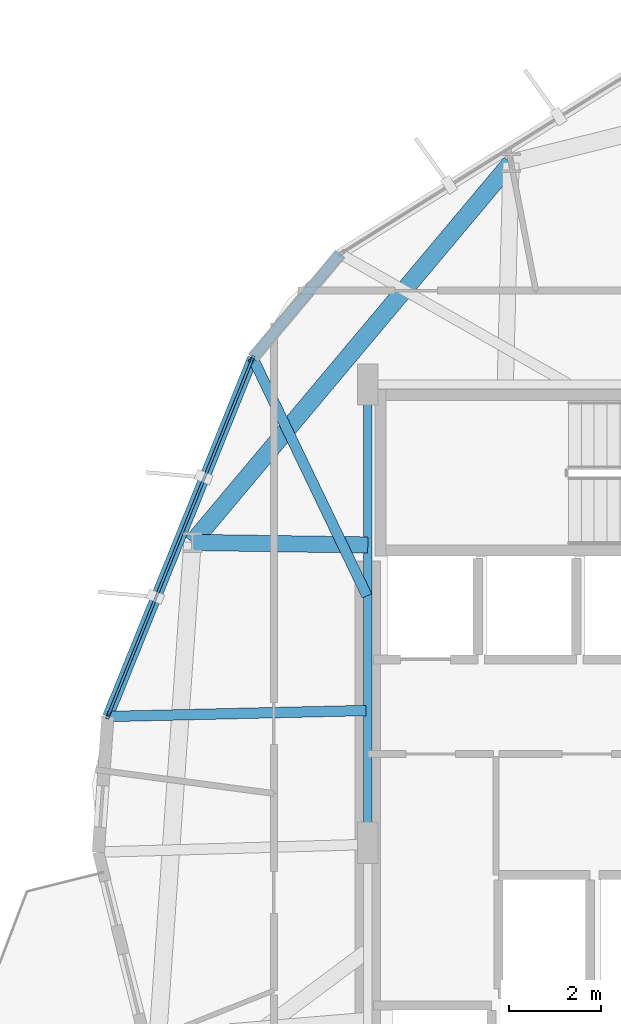
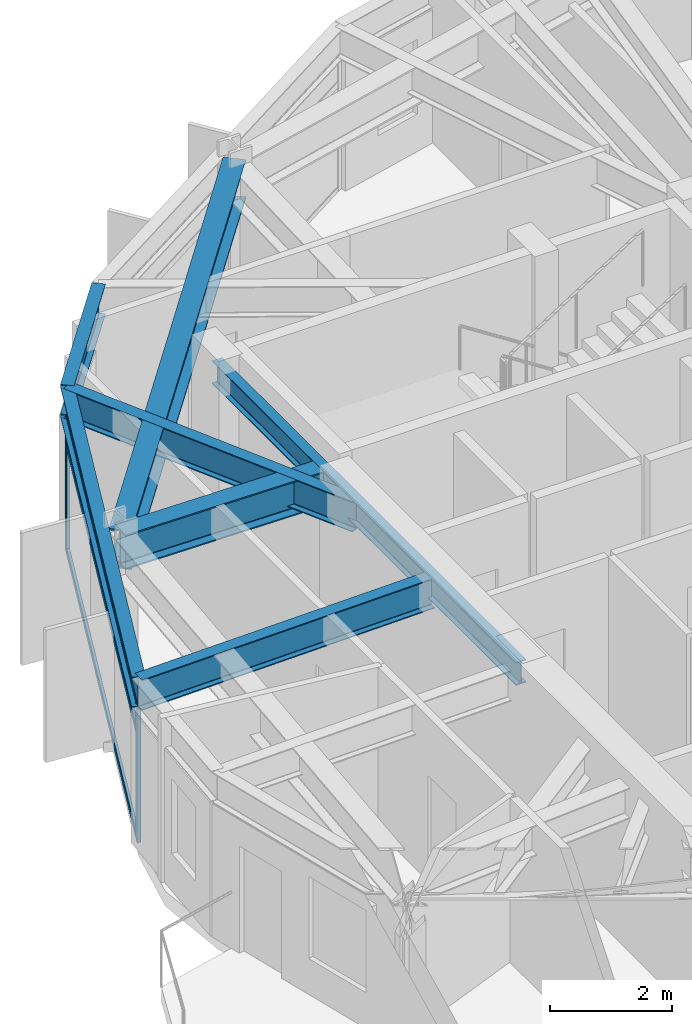
# One storey, part 7 of 22: 7 beams, 5 members, 1 element without a shape of its own.
"""IFC4 building model written with IfcOpenShell, lengths in metres."""

import ifcopenshell
import ifcopenshell.guid

model = None  # the IFC model being written
_history = None  # IfcOwnerHistory: only IFC2X3 demands one
_inside = {}  # id of a spatial element -> (the spatial element, [elements in it])
_under = {}  # id of a project, library or spatial element -> (it, [spatial elements below it])
_declared = {}  # id of a project -> (the project, [libraries it declares])
_typed = {}  # id of a type object -> (the type object, [elements of that type])
_made_of = {}  # id of a material, layer set ... -> (it, [elements and type objects made of it])


def new_model(schema):
    """Start an empty IFC model of exactly this schema.

    Asked for "IFC4X3", IfcOpenShell would pick the latest addendum, in which some entities
    have other attributes; the version numbers below select the first issue.
    IFC2X3 requires an IfcOwnerHistory on every rooted entity: one is made here for all.
    """
    global model, _history
    if schema == "IFC4X3":
        model = ifcopenshell.file(schema_version=(4, 3, 0, 0))
    else:
        model = ifcopenshell.file(schema=schema)
    _inside.clear()
    _under.clear()
    _declared.clear()
    _typed.clear()
    _made_of.clear()
    _history = None
    if model.schema == "IFC2X3":
        org = make("IfcOrganization", Name="unknown")
        user = make(
            "IfcPersonAndOrganization",
            ThePerson=make("IfcPerson", FamilyName="unknown"),
            TheOrganization=org,
        )
        app = make(
            "IfcApplication",
            ApplicationDeveloper=org,
            Version="unknown",
            ApplicationFullName="unknown",
            ApplicationIdentifier="unknown",
        )
        _history = make(
            "IfcOwnerHistory",
            OwningUser=user,
            OwningApplication=app,
            ChangeAction="ADDED",
            CreationDate=0,
        )
    return model


def make(cls, **values):
    """One entity of the class cls with the attributes given. An attribute that is None is left unset."""
    return model.create_entity(
        cls, **{name: value for name, value in values.items() if value is not None}
    )


def rooted(cls, **values):
    """An entity with a GlobalId (a new one), such as an element, a storey or a relation."""
    return make(cls, GlobalId=ifcopenshell.guid.new(), OwnerHistory=_history, **values)


def si_unit(unit_type, name, prefix=None):
    """IfcSIUnit, for example si_unit("LENGTHUNIT", "METRE", prefix="MILLI")."""
    return make("IfcSIUnit", UnitType=unit_type, Prefix=prefix, Name=name)


def assignment(units):
    """IfcUnitAssignment: the units of a project."""
    return None if units is None else make("IfcUnitAssignment", Units=units)


def point(xyz):
    """IfcCartesianPoint."""
    return None if xyz is None else make("IfcCartesianPoint", Coordinates=xyz)


def direction(xyz):
    """IfcDirection."""
    return None if xyz is None else make("IfcDirection", DirectionRatios=xyz)


def frame(location, z_axis=None, x_axis=None):
    """IfcAxis2Placement3D, a coordinate frame: its origin and axes. An axis left out is left unset."""
    return make(
        "IfcAxis2Placement3D",
        Location=point(location),
        Axis=direction(z_axis),
        RefDirection=direction(x_axis),
    )


def frame_2d(location, x_axis=None):
    """IfcAxis2Placement2D, a coordinate frame in the plane: its origin and x axis."""
    return make(
        "IfcAxis2Placement2D", Location=point(location), RefDirection=direction(x_axis)
    )


def origin():
    """The frame at (0, 0, 0) with its axes left unset."""
    return frame((0.0, 0.0, 0.0))


def origin_2d():
    """The frame at (0, 0) in the plane with its x axis left unset."""
    return frame_2d((0.0, 0.0))


def place(relative_to, where):
    """IfcLocalPlacement: puts the frame where relative to a parent placement (None: the world)."""
    return make(
        "IfcLocalPlacement", PlacementRelTo=relative_to, RelativePlacement=where
    )


def context(
    kind, dimensions, precision=None, world=None, true_north=None, identifier=None
):
    """IfcGeometricRepresentationContext, for example the 3D "Model" context."""
    return make(
        "IfcGeometricRepresentationContext",
        ContextIdentifier=identifier,
        ContextType=kind,
        CoordinateSpaceDimension=dimensions,
        Precision=precision,
        WorldCoordinateSystem=world,
        TrueNorth=true_north,
    )


def subcontext(parent, identifier, kind, view, scale=None):
    """IfcGeometricRepresentationSubContext, for example "Body" below "Model"."""
    return make(
        "IfcGeometricRepresentationSubContext",
        ContextIdentifier=identifier,
        ContextType=kind,
        ParentContext=parent,
        TargetScale=scale,
        TargetView=view,
    )


def project(units=None, contexts=None):
    """IfcProject with its units and contexts."""
    return rooted(
        "IfcProject",
        Name="project",
        RepresentationContexts=contexts,
        UnitsInContext=assignment(units),
    )


def spatial(cls, under=None, at=None, **own):
    """A site, building, storey or space (cls), placed at a placement, below another one or the project."""
    s = rooted(cls, ObjectPlacement=at, **own)
    if under is not None:
        _under.setdefault(under.id(), (under, []))[1].append(s)
    return s


def profile(cls, at=None, kind="AREA", **sizes):
    """A parametric profile (cls). Its sizes go by their IFC names, for example OverallWidth=200.0."""
    return make(cls, ProfileType=kind, Position=at, **sizes)


def hollow_rectangle(**sizes):
    """IfcRectangleHollowProfileDef."""
    return profile("IfcRectangleHollowProfileDef", **sizes)


def i_section(**sizes):
    """IfcIShapeProfileDef."""
    return profile("IfcIShapeProfileDef", **sizes)


def extrude(swept, where, along, depth):
    """IfcExtrudedAreaSolid: the profile swept, set in the frame where, extruded along a direction by depth."""
    return make(
        "IfcExtrudedAreaSolid",
        SweptArea=swept,
        Position=where,
        ExtrudedDirection=direction(along),
        Depth=depth,
    )


def shape(context_of_items, identifier, shape_type, items):
    """IfcShapeRepresentation: the items that make up one representation, for example the "Body"."""
    return make(
        "IfcShapeRepresentation",
        ContextOfItems=context_of_items,
        RepresentationIdentifier=identifier,
        RepresentationType=shape_type,
        Items=items,
    )


def material(Name=None, Category=None):
    """IfcMaterial."""
    return make("IfcMaterial", Name=Name, Category=Category)


def layer(
    of_material, thickness, ventilated=None, Name=None, Category=None, Priority=None
):
    """IfcMaterialLayer: one layer of a wall or slab, of a material (None: an air gap)."""
    return make(
        "IfcMaterialLayer",
        Material=of_material,
        LayerThickness=thickness,
        IsVentilated=ventilated,
        Name=Name,
        Category=Category,
        Priority=Priority,
    )


def layer_set(layers, Name=None):
    """IfcMaterialLayerSet."""
    return make("IfcMaterialLayerSet", MaterialLayers=layers, LayerSetName=Name)


def material_profile(
    of_material, cross_section, Name=None, Category=None, Priority=None
):
    """IfcMaterialProfile: a cross section and its material."""
    return make(
        "IfcMaterialProfile",
        Name=Name,
        Material=of_material,
        Profile=cross_section,
        Priority=Priority,
        Category=Category,
    )


def profile_set(profiles, Name=None, composite=None):
    """IfcMaterialProfileSet."""
    return make(
        "IfcMaterialProfileSet",
        Name=Name,
        MaterialProfiles=profiles,
        CompositeProfile=composite,
    )


def made_of(thing, what):
    """Note that an element or type object is made of a material, layer set ...; save() writes the relation."""
    if what is not None:
        _made_of.setdefault(what.id(), (what, []))[1].append(thing)
    return thing


def type_object(cls, material=None, **own):
    """A type object (cls), such as IfcWallType, which elements share."""
    return made_of(rooted(cls, **own), material)


def element(
    cls,
    number,
    at=None,
    inside=None,
    cuts=None,
    type_object=None,
    material=None,
    context=None,
    identifier="Body",
    shape_type=None,
    held_by="IfcProductDefinitionShape",
    body=None,
    shapes=None,
    **own,
):
    """One element of the class cls, such as IfcWall. Its Tag is "e" and its number.

    at: its placement. inside: the storey or other place that contains it. cuts: it is an
    opening in that element (IfcRelVoidsElement). A single representation is given by context,
    identifier, shape_type and body (its items); several are given by shapes. held_by: the class
    of the entity that holds the representations. save() writes the other relations.
    """
    e = rooted(cls, Tag="e%d" % number, ObjectPlacement=at, **own)
    if body is not None:
        shapes = [shape(context, identifier, shape_type, body)]
    if shapes is not None:
        e.Representation = make(held_by, Representations=shapes)
    if inside is not None:
        _inside.setdefault(inside.id(), (inside, []))[1].append(e)
    if cuts is not None:
        rooted(
            "IfcRelVoidsElement", RelatingBuildingElement=cuts, RelatedOpeningElement=e
        )
    if type_object is not None:
        _typed.setdefault(type_object.id(), (type_object, []))[1].append(e)
    return made_of(e, material)


def aggregate(whole, parts):
    """IfcRelAggregates: a whole, such as a stair, and the parts it consists of."""
    return rooted("IfcRelAggregates", RelatingObject=whole, RelatedObjects=parts)


def save(model, path):
    """Write the relations noted so far, then the file.

    IfcRelAggregates (storeys below a building ...), IfcRelContainedInSpatialStructure (elements
    in a storey), IfcRelDefinesByType, IfcRelAssociatesMaterial and IfcRelDeclares: one each for
    every whole, place, type object, material and project.
    """
    for whole, parts in _under.values():
        aggregate(whole, parts)
    for where, things in _inside.values():
        rooted(
            "IfcRelContainedInSpatialStructure",
            RelatedElements=things,
            RelatingStructure=where,
        )
    for kind, things in _typed.values():
        rooted("IfcRelDefinesByType", RelatedObjects=things, RelatingType=kind)
    for what, things in _made_of.values():
        rooted("IfcRelAssociatesMaterial", RelatedObjects=things, RelatingMaterial=what)
    for by, libraries in _declared.values():
        rooted("IfcRelDeclares", RelatingContext=by, RelatedDefinitions=libraries)
    model.write(path)


model = new_model("IFC4")

# Units and contexts
model_context = context("Model", 3, precision=1e-05, world=origin(), true_north=direction((0.0, 1.0)))
body_context = subcontext(model_context, "Body", "Model", "MODEL_VIEW")
ifc_project = project(units=[si_unit("LENGTHUNIT", "METRE"), si_unit("AREAUNIT", "SQUARE_METRE"), si_unit("VOLUMEUNIT", "CUBIC_METRE"), si_unit("PLANEANGLEUNIT", "RADIAN"), si_unit("MASSUNIT", "GRAM", prefix="KILO")], contexts=[model_context])

# Site, building, storey
site_placement = place(None, origin())
site = spatial("IfcSite", under=ifc_project, at=site_placement, CompositionType="ELEMENT")
building_placement = place(site_placement, origin())
building = spatial("IfcBuilding", under=site, at=building_placement, Name="Soratama Intermodal Tower", CompositionType="ELEMENT")
storey_placement = place(building_placement, frame((0.0, 0.0, 157.0)))
storey = spatial("IfcBuildingStorey", under=building, at=storey_placement, Name="L38", CompositionType="ELEMENT", Elevation=157.0)

# Beams
ifc_material_1 = material(Name="Structural steel ASTM A992 Grade 50", Category="steel")
ifc_material_profile_1 = material_profile(ifc_material_1, i_section(OverallWidth=0.19091796875, OverallDepth=0.4599609375, WebThickness=0.010009765625, FlangeThickness=0.01611328125, FilletRadius=0.010986328125, at=origin_2d()), Name="W18X55")
ifc_profile_set_1 = profile_set([ifc_material_profile_1], Name="Structural steel ASTM A992 Grade 50")
beam_type_1 = type_object("IfcBeamType", Name="BM-FLR-W18X55", PredefinedType="BEAM", material=ifc_profile_set_1)
beam_1_placement = place(storey_placement, frame((32.60009765625, 35.0, 3.070068359375), z_axis=(0.0, -1.0, 0.0), x_axis=(1.0, 0.0, 0.0)))
element("IfcBeam", 1, at=beam_1_placement, inside=storey, type_object=beam_type_1, Name="BM-L38-CRING-08", PredefinedType="BEAM", context=body_context, shape_type="SweptSolid", body=[
    extrude(i_section(OverallWidth=0.19091796875, OverallDepth=0.4599609375, WebThickness=0.010009765625, FlangeThickness=0.01611328125, FilletRadius=0.010986328125, at=origin_2d()), origin(), (0.0, 0.0, 1.0), 10.0),
])
ifc_material_2 = material(Name="Structural steel ASTM A992 Grade 50", Category="steel")
ifc_material_profile_2 = material_profile(ifc_material_2, i_section(OverallWidth=0.35498046875, OverallDepth=0.695068359375, WebThickness=0.015380859375, FlangeThickness=0.02490234375, FilletRadius=0.01611328125, at=origin_2d()), Name="W27X146")
ifc_profile_set_2 = profile_set([ifc_material_profile_2], Name="Structural steel ASTM A992 Grade 50")
beam_type_2 = type_object("IfcBeamType", Name="BM-RING-W27X146", PredefinedType="BEAM", material=ifc_profile_set_2)
beam_2_placement = place(storey_placement, frame((32.60009765625, 31.5, 2.952392578125), z_axis=(-0.999893261134, 0.014610487289, 0.0), x_axis=(-0.014610487289, -0.999893261134, 0.0)))
element("IfcBeam", 2, at=beam_2_placement, inside=storey, type_object=beam_type_2, Name="BM-L38-RAD-05", PredefinedType="BEAM", context=body_context, shape_type="SweptSolid", body=[
    extrude(i_section(OverallWidth=0.35498046875, OverallDepth=0.695068359375, WebThickness=0.015380859375, FlangeThickness=0.02490234375, FilletRadius=0.01611328125, at=origin_2d()), origin(), (0.0, 0.0, 1.0), 3.82666015625),
])
ifc_material_3 = material(Name="Structural steel ASTM A992 Grade 50", Category="steel")
ifc_material_profile_3 = material_profile(ifc_material_3, i_section(OverallWidth=0.382080078125, OverallDepth=0.779052734375, WebThickness=0.01806640625, FlangeThickness=0.030029296875, FilletRadius=0.01806640625, at=origin_2d()), Name="W30X191")
ifc_profile_set_3 = profile_set([ifc_material_profile_3], Name="Structural steel ASTM A992 Grade 50")
beam_type_3 = type_object("IfcBeamType", Name="BM-RING-W30X191", PredefinedType="BEAM", material=ifc_profile_set_3)
beam_3_placement = place(storey_placement, frame((35.72607421875, 39.841064453125, 2.910400390625), z_axis=(-0.642791781199, -0.766040942785, 0.0), x_axis=(0.766040942785, -0.642791781199, 0.0)))
element("IfcBeam", 3, at=beam_3_placement, inside=storey, type_object=beam_type_3, Name="BM-L38-RING-04", PredefinedType="BEAM", context=body_context, shape_type="SweptSolid", body=[
    extrude(i_section(OverallWidth=0.382080078125, OverallDepth=0.779052734375, WebThickness=0.01806640625, FlangeThickness=0.030029296875, FilletRadius=0.01806640625, at=origin_2d()), origin(), (0.0, 0.0, 1.0), 10.815673828125),
])
ifc_material_4 = material(Name="Structural steel ASTM A992 Grade 50", Category="steel")
ifc_material_profile_4 = material_profile(ifc_material_4, i_section(OverallWidth=0.22900390625, OverallDepth=0.612060546875, WebThickness=0.011962890625, FlangeThickness=0.01953125, FilletRadius=0.012939453125, at=origin_2d()), Name="W24X84")
ifc_profile_set_4 = profile_set([ifc_material_profile_4], Name="Structural steel ASTM A992 Grade 50")
beam_type_4 = type_object("IfcBeamType", Name="BM-SPN-W24X84", PredefinedType="SPANDREL", material=ifc_profile_set_4)
beam_4_placement = place(storey_placement, frame((31.9990234375, 37.85400390625, 2.993896484375), z_axis=(-0.643093657741, -0.765787534093, 0.0), x_axis=(0.765787534093, -0.643093657741, 0.0)))
element("IfcBeam", 4, at=beam_4_placement, inside=storey, type_object=beam_type_4, Name="BS-L38-CRN03", PredefinedType="SPANDREL", context=body_context, shape_type="SweptSolid", body=[
    extrude(i_section(OverallWidth=0.22900390625, OverallDepth=0.612060546875, WebThickness=0.011962890625, FlangeThickness=0.01953125, FilletRadius=0.012939453125, at=origin_2d()), origin(), (0.0, 0.0, 1.0), 2.966796875),
])
beam_5_placement = place(storey_placement, frame((30.091064453125, 35.58203125, 2.993896484375), z_axis=(-0.374869050099, -0.927077771969, 0.0), x_axis=(0.927077771969, -0.374869050099, 0.0)))
element("IfcBeam", 5, at=beam_5_placement, inside=storey, type_object=beam_type_4, Name="BS-L38-F04", PredefinedType="SPANDREL", context=body_context, shape_type="SweptSolid", body=[
    extrude(i_section(OverallWidth=0.22900390625, OverallDepth=0.612060546875, WebThickness=0.011962890625, FlangeThickness=0.01953125, FilletRadius=0.012939453125, at=origin_2d()), origin(), (0.0, 0.0, 1.0), 8.4404296875),
])
ifc_material_5 = material(Name="Structural steel ASTM A992 Grade 50", Category="steel")
ifc_material_profile_5 = material_profile(ifc_material_5, i_section(OverallWidth=0.22900390625, OverallDepth=0.612060546875, WebThickness=0.011962890625, FlangeThickness=0.01953125, FilletRadius=0.012939453125, at=origin_2d()), Name="W24X84")
ifc_profile_set_5 = profile_set([ifc_material_profile_5], Name="Structural steel ASTM A992 Grade 50")
beam_type_5 = type_object("IfcBeamType", Name="BM-TIE-W24X84", PredefinedType="BEAM", material=ifc_profile_set_5)
beam_6_placement = place(storey_placement, frame((32.5830078125, 30.389892578125, 2.993896484375), z_axis=(-0.432691101083, 0.901542240299, 0.0), x_axis=(-0.901542240299, -0.432691101083, 0.0)))
element("IfcBeam", 6, at=beam_6_placement, inside=storey, type_object=beam_type_5, Name="BM-L38-TIE0-04", PredefinedType="BEAM", context=body_context, shape_type="SweptSolid", body=[
    extrude(i_section(OverallWidth=0.22900390625, OverallDepth=0.612060546875, WebThickness=0.011962890625, FlangeThickness=0.01953125, FilletRadius=0.012939453125, at=origin_2d()), origin(), (0.0, 0.0, 1.0), 5.75927734375),
])
beam_7_placement = place(storey_placement, frame((32.56005859375, 27.887939453125, 2.993896484375), z_axis=(-0.999730278407, -0.023224350073, 0.0), x_axis=(0.023224350073, -0.999730278407, 0.0)))
element("IfcBeam", 7, at=beam_7_placement, inside=storey, type_object=beam_type_5, Name="BM-L38-TIE1-04", PredefinedType="BEAM", context=body_context, shape_type="SweptSolid", body=[
    extrude(i_section(OverallWidth=0.22900390625, OverallDepth=0.612060546875, WebThickness=0.011962890625, FlangeThickness=0.01953125, FilletRadius=0.012939453125, at=origin_2d()), origin(), (0.0, 0.0, 1.0), 5.634521484375),
])

# Curtain wall, members
ifc_material_6 = material(Name="Double-glazed aluminium curtain wall", Category="aluminium")
ifc_layer = layer(ifc_material_6, 0.159912109375)
ifc_layer_set = layer_set([ifc_layer], Name="Double-glazed aluminium curtain wall")
curtain_wall_type = type_object("IfcCurtainWallType", Name="CW-SYS-4", PredefinedType="NOTDEFINED", material=ifc_layer_set)
curtain_wall_placement = place(storey_placement, origin())
curtain_wall = element("IfcCurtainWall", 8, at=curtain_wall_placement, inside=storey, type_object=curtain_wall_type, Name="L38 Faceted Curtain Wall F04", PredefinedType="NOTDEFINED")
ifc_material_7 = material(Name="Anodised aluminium AA 6063-T6", Category="aluminium")
ifc_material_profile_6 = material_profile(ifc_material_7, hollow_rectangle(XDim=0.070068359375, YDim=0.159912109375, WallThickness=0.0048828125, InnerFilletRadius=0.0048828125, OuterFilletRadius=0.010009765625, at=origin_2d()), Name="CWM160X70X5")
ifc_profile_set_6 = profile_set([ifc_material_profile_6], Name="Anodised aluminium AA 6063-T6")
member_type_1 = type_object("IfcMemberType", Name="MT-CWM-4", PredefinedType="MULLION", material=ifc_profile_set_6)
member_1_placement = place(storey_placement, frame((30.080078125, 35.553955078125, 0.0), z_axis=(0.0, 0.0, 1.0), x_axis=(0.927055574425, -0.374923941524, 0.0)))
member_1 = element("IfcMember", 9, at=member_1_placement, type_object=member_type_1, Name="CW-4 mullion 1", PredefinedType="MULLION", context=body_context, shape_type="SweptSolid", body=[
    extrude(hollow_rectangle(XDim=0.070068359375, YDim=0.159912109375, WallThickness=0.0048828125, InnerFilletRadius=0.0048828125, OuterFilletRadius=0.010009765625, at=origin_2d()), origin(), (0.0, 0.0, 1.0), 2.678955078125),
])
member_2_placement = place(storey_placement, frame((26.938232421875, 27.784912109375, 0.0), z_axis=(0.0, 0.0, 1.0), x_axis=(0.927055574425, -0.374923941524, 0.0)))
member_2 = element("IfcMember", 10, at=member_2_placement, type_object=member_type_1, Name="CW-4 mullion 2", PredefinedType="MULLION", context=body_context, shape_type="SweptSolid", body=[
    extrude(hollow_rectangle(XDim=0.070068359375, YDim=0.159912109375, WallThickness=0.0048828125, InnerFilletRadius=0.0048828125, OuterFilletRadius=0.010009765625, at=origin_2d()), origin(), (0.0, 0.0, 1.0), 2.678955078125),
])
ifc_material_8 = material(Name="Anodised aluminium AA 6063-T6", Category="aluminium")
ifc_material_profile_7 = material_profile(ifc_material_8, hollow_rectangle(XDim=0.06005859375, YDim=0.1298828125, WallThickness=0.0048828125, InnerFilletRadius=0.0048828125, OuterFilletRadius=0.010009765625, at=origin_2d()), Name="CWT130X60X5")
ifc_profile_set_7 = profile_set([ifc_material_profile_7], Name="Anodised aluminium AA 6063-T6")
member_type_2 = type_object("IfcMemberType", Name="TT-CWT-2", PredefinedType="USERDEFINED", material=ifc_profile_set_7)
member_3_placement = place(storey_placement, frame((30.06884765625, 35.526123046875, 0.030029296875), z_axis=(-0.374914204803, -0.927059512134, 0.0), x_axis=(0.927059512134, -0.374914204803, 0.0)))
member_3 = element("IfcMember", 11, at=member_3_placement, type_object=member_type_2, Name="CW-4 transom 1.1", ObjectType="TRANSOM", PredefinedType="USERDEFINED", context=body_context, shape_type="SweptSolid", body=[
    extrude(hollow_rectangle(XDim=0.06005859375, YDim=0.1298828125, WallThickness=0.0048828125, InnerFilletRadius=0.0048828125, OuterFilletRadius=0.010009765625, at=origin_2d()), origin(), (0.0, 0.0, 1.0), 8.3203125),
])
member_4_placement = place(storey_placement, frame((30.06884765625, 35.526123046875, 2.14990234375), z_axis=(-0.374914204803, -0.927059512134, 0.0), x_axis=(0.927059512134, -0.374914204803, 0.0)))
member_4 = element("IfcMember", 12, at=member_4_placement, type_object=member_type_2, Name="CW-4 transom 1.2", ObjectType="TRANSOM", PredefinedType="USERDEFINED", context=body_context, shape_type="SweptSolid", body=[
    extrude(hollow_rectangle(XDim=0.06005859375, YDim=0.1298828125, WallThickness=0.0048828125, InnerFilletRadius=0.0048828125, OuterFilletRadius=0.010009765625, at=origin_2d()), origin(), (0.0, 0.0, 1.0), 8.3203125),
])
member_5_placement = place(storey_placement, frame((30.06884765625, 35.526123046875, 2.64892578125), z_axis=(-0.374914204803, -0.927059512134, 0.0), x_axis=(0.927059512134, -0.374914204803, 0.0)))
member_5 = element("IfcMember", 13, at=member_5_placement, type_object=member_type_2, Name="CW-4 transom 1.3", ObjectType="TRANSOM", PredefinedType="USERDEFINED", context=body_context, shape_type="SweptSolid", body=[
    extrude(hollow_rectangle(XDim=0.06005859375, YDim=0.1298828125, WallThickness=0.0048828125, InnerFilletRadius=0.0048828125, OuterFilletRadius=0.010009765625, at=origin_2d()), origin(), (0.0, 0.0, 1.0), 8.3203125),
])
aggregate(curtain_wall, [member_1, member_2, member_3, member_4, member_5])

save(model, "model.ifc")
